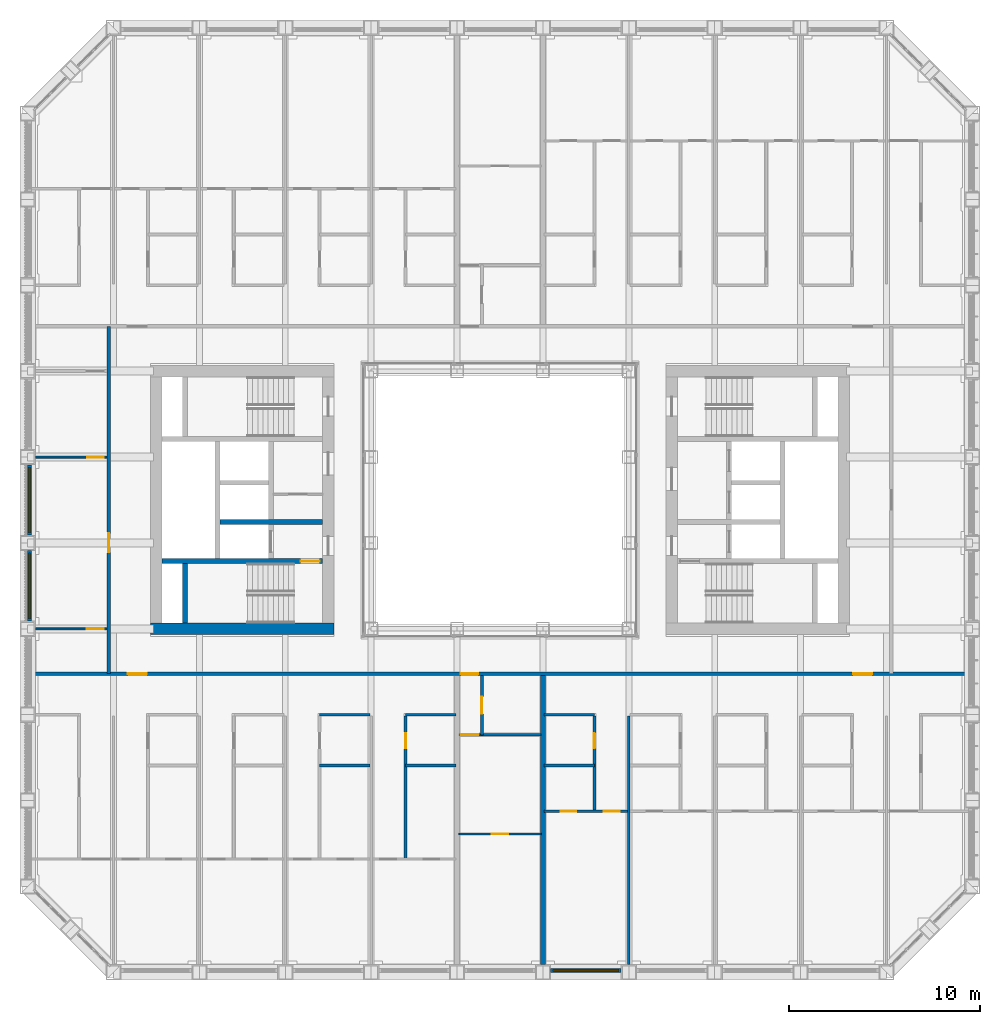
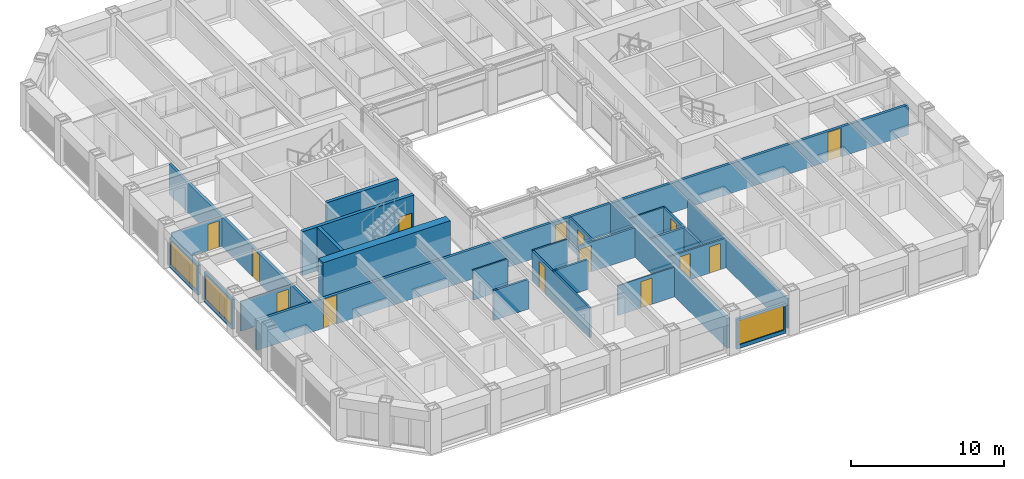
# One storey, part 10 of 21: 25 walls, 14 doors, 3 windows, 17 openings.
"""IFC4 building model written with IfcOpenShell, lengths in metres."""

import ifcopenshell
import ifcopenshell.guid

model = None  # the IFC model being written
_history = None  # IfcOwnerHistory: only IFC2X3 demands one
_inside = {}  # id of a spatial element -> (the spatial element, [elements in it])
_under = {}  # id of a project, library or spatial element -> (it, [spatial elements below it])
_declared = {}  # id of a project -> (the project, [libraries it declares])
_typed = {}  # id of a type object -> (the type object, [elements of that type])
_made_of = {}  # id of a material, layer set ... -> (it, [elements and type objects made of it])


def new_model(schema):
    """Start an empty IFC model of exactly this schema.

    Asked for "IFC4X3", IfcOpenShell would pick the latest addendum, in which some entities
    have other attributes; the version numbers below select the first issue.
    IFC2X3 requires an IfcOwnerHistory on every rooted entity: one is made here for all.
    """
    global model, _history
    if schema == "IFC4X3":
        model = ifcopenshell.file(schema_version=(4, 3, 0, 0))
    else:
        model = ifcopenshell.file(schema=schema)
    _inside.clear()
    _under.clear()
    _declared.clear()
    _typed.clear()
    _made_of.clear()
    _history = None
    if model.schema == "IFC2X3":
        org = make("IfcOrganization", Name="unknown")
        user = make(
            "IfcPersonAndOrganization",
            ThePerson=make("IfcPerson", FamilyName="unknown"),
            TheOrganization=org,
        )
        app = make(
            "IfcApplication",
            ApplicationDeveloper=org,
            Version="unknown",
            ApplicationFullName="unknown",
            ApplicationIdentifier="unknown",
        )
        _history = make(
            "IfcOwnerHistory",
            OwningUser=user,
            OwningApplication=app,
            ChangeAction="ADDED",
            CreationDate=0,
        )
    return model


def make(cls, **values):
    """One entity of the class cls with the attributes given. An attribute that is None is left unset."""
    return model.create_entity(
        cls, **{name: value for name, value in values.items() if value is not None}
    )


def rooted(cls, **values):
    """An entity with a GlobalId (a new one), such as an element, a storey or a relation."""
    return make(cls, GlobalId=ifcopenshell.guid.new(), OwnerHistory=_history, **values)


def si_unit(unit_type, name, prefix=None):
    """IfcSIUnit, for example si_unit("LENGTHUNIT", "METRE", prefix="MILLI")."""
    return make("IfcSIUnit", UnitType=unit_type, Prefix=prefix, Name=name)


def assignment(units):
    """IfcUnitAssignment: the units of a project."""
    return None if units is None else make("IfcUnitAssignment", Units=units)


def point(xyz):
    """IfcCartesianPoint."""
    return None if xyz is None else make("IfcCartesianPoint", Coordinates=xyz)


def direction(xyz):
    """IfcDirection."""
    return None if xyz is None else make("IfcDirection", DirectionRatios=xyz)


def frame(location, z_axis=None, x_axis=None):
    """IfcAxis2Placement3D, a coordinate frame: its origin and axes. An axis left out is left unset."""
    return make(
        "IfcAxis2Placement3D",
        Location=point(location),
        Axis=direction(z_axis),
        RefDirection=direction(x_axis),
    )


def frame_2d(location, x_axis=None):
    """IfcAxis2Placement2D, a coordinate frame in the plane: its origin and x axis."""
    return make(
        "IfcAxis2Placement2D", Location=point(location), RefDirection=direction(x_axis)
    )


def origin():
    """The frame at (0, 0, 0) with its axes left unset."""
    return frame((0.0, 0.0, 0.0))


def place(relative_to, where):
    """IfcLocalPlacement: puts the frame where relative to a parent placement (None: the world)."""
    return make(
        "IfcLocalPlacement", PlacementRelTo=relative_to, RelativePlacement=where
    )


def context(
    kind, dimensions, precision=None, world=None, true_north=None, identifier=None
):
    """IfcGeometricRepresentationContext, for example the 3D "Model" context."""
    return make(
        "IfcGeometricRepresentationContext",
        ContextIdentifier=identifier,
        ContextType=kind,
        CoordinateSpaceDimension=dimensions,
        Precision=precision,
        WorldCoordinateSystem=world,
        TrueNorth=true_north,
    )


def subcontext(parent, identifier, kind, view, scale=None):
    """IfcGeometricRepresentationSubContext, for example "Body" below "Model"."""
    return make(
        "IfcGeometricRepresentationSubContext",
        ContextIdentifier=identifier,
        ContextType=kind,
        ParentContext=parent,
        TargetScale=scale,
        TargetView=view,
    )


def project(units=None, contexts=None):
    """IfcProject with its units and contexts."""
    return rooted(
        "IfcProject",
        Name="project",
        RepresentationContexts=contexts,
        UnitsInContext=assignment(units),
    )


def spatial(cls, under=None, at=None, **own):
    """A site, building, storey or space (cls), placed at a placement, below another one or the project."""
    s = rooted(cls, ObjectPlacement=at, **own)
    if under is not None:
        _under.setdefault(under.id(), (under, []))[1].append(s)
    return s


def profile(cls, at=None, kind="AREA", **sizes):
    """A parametric profile (cls). Its sizes go by their IFC names, for example OverallWidth=200.0."""
    return make(cls, ProfileType=kind, Position=at, **sizes)


def rectangle(**sizes):
    """IfcRectangleProfileDef."""
    return profile("IfcRectangleProfileDef", **sizes)


def extrude(swept, where, along, depth):
    """IfcExtrudedAreaSolid: the profile swept, set in the frame where, extruded along a direction by depth."""
    return make(
        "IfcExtrudedAreaSolid",
        SweptArea=swept,
        Position=where,
        ExtrudedDirection=direction(along),
        Depth=depth,
    )


def shape(context_of_items, identifier, shape_type, items):
    """IfcShapeRepresentation: the items that make up one representation, for example the "Body"."""
    return make(
        "IfcShapeRepresentation",
        ContextOfItems=context_of_items,
        RepresentationIdentifier=identifier,
        RepresentationType=shape_type,
        Items=items,
    )


def material(Name=None, Category=None):
    """IfcMaterial."""
    return make("IfcMaterial", Name=Name, Category=Category)


def layer(
    of_material, thickness, ventilated=None, Name=None, Category=None, Priority=None
):
    """IfcMaterialLayer: one layer of a wall or slab, of a material (None: an air gap)."""
    return make(
        "IfcMaterialLayer",
        Material=of_material,
        LayerThickness=thickness,
        IsVentilated=ventilated,
        Name=Name,
        Category=Category,
        Priority=Priority,
    )


def layer_set(layers, Name=None):
    """IfcMaterialLayerSet."""
    return make("IfcMaterialLayerSet", MaterialLayers=layers, LayerSetName=Name)


def made_of(thing, what):
    """Note that an element or type object is made of a material, layer set ...; save() writes the relation."""
    if what is not None:
        _made_of.setdefault(what.id(), (what, []))[1].append(thing)
    return thing


def type_object(cls, material=None, **own):
    """A type object (cls), such as IfcWallType, which elements share."""
    return made_of(rooted(cls, **own), material)


def element(
    cls,
    number,
    at=None,
    inside=None,
    cuts=None,
    type_object=None,
    material=None,
    context=None,
    identifier="Body",
    shape_type=None,
    held_by="IfcProductDefinitionShape",
    body=None,
    shapes=None,
    **own,
):
    """One element of the class cls, such as IfcWall. Its Tag is "e" and its number.

    at: its placement. inside: the storey or other place that contains it. cuts: it is an
    opening in that element (IfcRelVoidsElement). A single representation is given by context,
    identifier, shape_type and body (its items); several are given by shapes. held_by: the class
    of the entity that holds the representations. save() writes the other relations.
    """
    e = rooted(cls, Tag="e%d" % number, ObjectPlacement=at, **own)
    if body is not None:
        shapes = [shape(context, identifier, shape_type, body)]
    if shapes is not None:
        e.Representation = make(held_by, Representations=shapes)
    if inside is not None:
        _inside.setdefault(inside.id(), (inside, []))[1].append(e)
    if cuts is not None:
        rooted(
            "IfcRelVoidsElement", RelatingBuildingElement=cuts, RelatedOpeningElement=e
        )
    if type_object is not None:
        _typed.setdefault(type_object.id(), (type_object, []))[1].append(e)
    return made_of(e, material)


def fill(opening, filler):
    """IfcRelFillsElement: the door or window that sits in an opening."""
    return rooted(
        "IfcRelFillsElement",
        RelatingOpeningElement=opening,
        RelatedBuildingElement=filler,
    )


def aggregate(whole, parts):
    """IfcRelAggregates: a whole, such as a stair, and the parts it consists of."""
    return rooted("IfcRelAggregates", RelatingObject=whole, RelatedObjects=parts)


def save(model, path):
    """Write the relations noted so far, then the file.

    IfcRelAggregates (storeys below a building ...), IfcRelContainedInSpatialStructure (elements
    in a storey), IfcRelDefinesByType, IfcRelAssociatesMaterial and IfcRelDeclares: one each for
    every whole, place, type object, material and project.
    """
    for whole, parts in _under.values():
        aggregate(whole, parts)
    for where, things in _inside.values():
        rooted(
            "IfcRelContainedInSpatialStructure",
            RelatedElements=things,
            RelatingStructure=where,
        )
    for kind, things in _typed.values():
        rooted("IfcRelDefinesByType", RelatedObjects=things, RelatingType=kind)
    for what, things in _made_of.values():
        rooted("IfcRelAssociatesMaterial", RelatedObjects=things, RelatingMaterial=what)
    for by, libraries in _declared.values():
        rooted("IfcRelDeclares", RelatingContext=by, RelatedDefinitions=libraries)
    model.write(path)


model = new_model("IFC4")

# Units and contexts
model_context = context("Model", 3, precision=1e-05, world=origin(), true_north=direction((0.0, 1.0)))
body_context = subcontext(model_context, "Body", "Model", "MODEL_VIEW")
ifc_project = project(units=[si_unit("LENGTHUNIT", "METRE"), si_unit("AREAUNIT", "SQUARE_METRE"), si_unit("VOLUMEUNIT", "CUBIC_METRE"), si_unit("PLANEANGLEUNIT", "RADIAN"), si_unit("MASSUNIT", "GRAM", prefix="KILO")], contexts=[model_context])

# Site, building, storey
site_placement = place(None, origin())
site = spatial("IfcSite", under=ifc_project, at=site_placement, CompositionType="ELEMENT")
building_placement = place(site_placement, origin())
building = spatial("IfcBuilding", under=site, at=building_placement, Name="Msasa Ring Tower", CompositionType="ELEMENT")
storey_placement = place(building_placement, frame((0.0, 0.0, 100.0)))
storey = spatial("IfcBuildingStorey", under=building, at=storey_placement, Name="L26", CompositionType="ELEMENT", Elevation=100.0)

# Wall
ifc_material_1 = material(Name="Concrete C60/75", Category="concrete")
ifc_layer_1 = layer(ifc_material_1, 0.60009765625)
ifc_layer_set_1 = layer_set([ifc_layer_1], Name="CW1 CORE WALL 600")
wall_type_1 = type_object("IfcWallType", Name="CW1 CORE WALL 600", PredefinedType="SHEAR", material=ifc_layer_set_1)
wall_1_placement = place(storey_placement, frame((-8.699951171875, -6.75, 0.0), z_axis=(0.0, 0.0, 1.0), x_axis=(-1.0, 0.0, 0.0)))
element("IfcWall", 1, at=wall_1_placement, inside=storey, type_object=wall_type_1, Name="W core wall S L26", PredefinedType="SHEAR", context=body_context, shape_type="SweptSolid", body=[
    extrude(rectangle(XDim=9.60009765625, YDim=0.60009765625, at=frame_2d((4.800048828125, 0.0))), origin(), (0.0, 0.0, 1.0), 3.5),
])

# Wall, opening, door
ifc_material_2 = material(Name="Concrete C60/75", Category="concrete")
ifc_layer_2 = layer(ifc_material_2, 0.25)
ifc_layer_set_2 = layer_set([ifc_layer_2], Name="CW4 CORE INNER WALL 250")
wall_type_2 = type_object("IfcWallType", Name="CW4 CORE INNER WALL 250", PredefinedType="SHEAR", material=ifc_layer_set_2)
wall_2_placement = place(storey_placement, frame((-9.300048828125, -3.199951171875, 0.0), z_axis=(0.0, 0.0, 1.0), x_axis=(-1.0, 0.0, 0.0)))
wall_2 = element("IfcWall", 2, at=wall_2_placement, inside=storey, type_object=wall_type_2, Name="W core wall STAIRA L26", PredefinedType="SHEAR", context=body_context, shape_type="SweptSolid", body=[
    extrude(rectangle(XDim=8.39990234375, YDim=0.25, at=frame_2d((4.199951171875, 0.0))), origin(), (0.0, 0.0, 1.0), 3.5),
])
opening_1_placement = place(wall_2_placement, frame((0.14990234375, 0.0, 0.0)))
opening_1 = element("IfcOpeningElement", 3, at=opening_1_placement, cuts=wall_2, Name="Opening RH-046", PredefinedType="OPENING", context=body_context, shape_type="SweptSolid", body=[
    extrude(rectangle(XDim=1.0, YDim=2.10009765625, at=frame_2d((0.5, 1.050048828125))), frame((0.0, 0.135009765625, 0.0), z_axis=(0.0, -1.0, 0.0), x_axis=(1.0, 0.0, 0.0)), (0.0, 0.0, 1.0), 0.27001953125),
])
ifc_material_3 = material(Name="Timber door leaf in a steel frame", Category="steel")
door_type_1 = type_object("IfcDoorType", Name="D6 STAIR DOOR 1000x2100", OperationType="SINGLE_SWING_LEFT", PredefinedType="DOOR", material=ifc_material_3)
door_1_placement = place(opening_1_placement, origin())
door_1 = element("IfcDoor", 4, at=door_1_placement, inside=storey, type_object=door_type_1, Name="Door L26-WSTA", OperationType="SINGLE_SWING_LEFT", OverallHeight=2.10009765625, OverallWidth=1.0, PredefinedType="DOOR", context=body_context, shape_type="SweptSolid", body=[
    extrude(rectangle(XDim=1.0, YDim=2.10009765625, at=frame_2d((0.5, 1.050048828125))), frame((0.0, 0.02490234375, 0.0), z_axis=(0.0, -1.0, 0.0), x_axis=(1.0, 0.0, 0.0)), (0.0, 0.0, 1.0), 0.050048828125),
])
fill(opening_1, door_1)

# Walls
wall_3_placement = place(storey_placement, frame((-16.5, -6.449951171875, 0.0), z_axis=(0.0, 0.0, 1.0), x_axis=(0.0, 1.0, 0.0)))
element("IfcWall", 5, at=wall_3_placement, inside=storey, type_object=wall_type_2, Name="W core wall RISERA L26", PredefinedType="SHEAR", context=body_context, shape_type="SweptSolid", body=[
    extrude(rectangle(XDim=3.125, YDim=0.25, at=frame_2d((1.5625, 0.0))), origin(), (0.0, 0.0, 1.0), 3.5),
])
wall_4_placement = place(storey_placement, frame((-9.300048828125, -1.14990234375, 0.0), z_axis=(0.0, 0.0, 1.0), x_axis=(-1.0, 0.0, 0.0)))
element("IfcWall", 6, at=wall_4_placement, inside=storey, type_object=wall_type_2, Name="W core wall FFL L26", PredefinedType="SHEAR", context=body_context, shape_type="SweptSolid", body=[
    extrude(rectangle(XDim=5.375, YDim=0.25, at=frame_2d((2.6875, 0.0))), origin(), (0.0, 0.0, 1.0), 3.5),
])

# Wall, opening, window
ifc_material_4 = material(Name="Terracotta rainscreen on blockwork", Category="masonry")
ifc_layer_3 = layer(ifc_material_4, 0.199951171875)
ifc_layer_set_3 = layer_set([ifc_layer_3], Name="FW1 TERRACOTTA-LINED INFILL BAY WALL 200")
wall_type_3 = type_object("IfcWallType", Name="FW1 TERRACOTTA-LINED INFILL BAY WALL 200", PredefinedType="SOLIDWALL", material=ifc_layer_set_3)
wall_5_placement = place(storey_placement, frame((2.655029296875, -24.64990234375, 0.0), z_axis=(0.0, 0.0, 1.0), x_axis=(1.0, 0.0, 0.0)))
wall_5 = element("IfcWall", 7, at=wall_5_placement, inside=storey, type_object=wall_type_3, Name="Infill bay wall S L26 05", PredefinedType="SOLIDWALL", context=body_context, shape_type="SweptSolid", body=[
    extrude(rectangle(XDim=3.68994140625, YDim=0.199951171875, at=frame_2d((1.844970703125, 0.0))), origin(), (0.0, 0.0, 1.0), 2.37890625),
])
opening_2_placement = place(wall_5_placement, frame((0.14501953125, 0.0, 0.300048828125)))
opening_2 = element("IfcOpeningElement", 8, at=opening_2_placement, cuts=wall_5, Name="Opening WN1", PredefinedType="OPENING", context=body_context, shape_type="SweptSolid", body=[
    extrude(rectangle(XDim=3.39990234375, YDim=1.928955078125, at=frame_2d((1.699951171875, 0.96435546875))), frame((0.0, 0.10986328125, 0.0), z_axis=(0.0, -1.0, 0.0), x_axis=(1.0, 0.0, 0.0)), (0.0, 0.0, 1.0), 0.219970703125),
])
ifc_material_5 = material(Name="Aluminium frame with clear glass", Category="aluminium")
window_type = type_object("IfcWindowType", Name="WN1 RESIDENCE WINDOW 3400x1929", PartitioningType="SINGLE_PANEL", PredefinedType="WINDOW", material=ifc_material_5)
window_1_placement = place(opening_2_placement, origin())
window_1 = element("IfcWindow", 9, at=window_1_placement, inside=storey, type_object=window_type, Name="Window S L26 05", OverallHeight=1.928955078125, OverallWidth=3.39990234375, PartitioningType="SINGLE_PANEL", PredefinedType="WINDOW", context=body_context, shape_type="SweptSolid", body=[
    extrude(rectangle(XDim=3.39990234375, YDim=1.928955078125, at=frame_2d((1.699951171875, 0.96435546875))), frame((0.0, 0.030029296875, 0.0), z_axis=(0.0, -1.0, 0.0), x_axis=(1.0, 0.0, 0.0)), (0.0, 0.0, 1.0), 0.06005859375),
])
fill(opening_2, window_1)

wall_6_placement = place(storey_placement, frame((-24.64990234375, -6.344970703125, 0.0), z_axis=(0.0, 0.0, 1.0), x_axis=(0.0, 1.0, 0.0)))
wall_6 = element("IfcWall", 10, at=wall_6_placement, inside=storey, type_object=wall_type_3, Name="Infill bay wall W L26 36", PredefinedType="SOLIDWALL", context=body_context, shape_type="SweptSolid", body=[
    extrude(rectangle(XDim=3.68994140625, YDim=0.199951171875, at=frame_2d((1.844970703125, 0.0))), origin(), (0.0, 0.0, 1.0), 2.37890625),
])
opening_3_placement = place(wall_6_placement, frame((0.14501953125, 0.0, 0.300048828125)))
opening_3 = element("IfcOpeningElement", 11, at=opening_3_placement, cuts=wall_6, Name="Opening WN1", PredefinedType="OPENING", context=body_context, shape_type="SweptSolid", body=[
    extrude(rectangle(XDim=3.39990234375, YDim=1.928955078125, at=frame_2d((1.699951171875, 0.96435546875))), frame((0.0, 0.10986328125, 0.0), z_axis=(0.0, -1.0, 0.0), x_axis=(1.0, 0.0, 0.0)), (0.0, 0.0, 1.0), 0.219970703125),
])
window_2_placement = place(opening_3_placement, origin())
window_2 = element("IfcWindow", 12, at=window_2_placement, inside=storey, type_object=window_type, Name="Window W L26 36", OverallHeight=1.928955078125, OverallWidth=3.39990234375, PartitioningType="SINGLE_PANEL", PredefinedType="WINDOW", context=body_context, shape_type="SweptSolid", body=[
    extrude(rectangle(XDim=3.39990234375, YDim=1.928955078125, at=frame_2d((1.699951171875, 0.96435546875))), frame((0.0, 0.030029296875, 0.0), z_axis=(0.0, -1.0, 0.0), x_axis=(1.0, 0.0, 0.0)), (0.0, 0.0, 1.0), 0.06005859375),
])
fill(opening_3, window_2)

wall_7_placement = place(storey_placement, frame((-24.64990234375, -1.844970703125, 0.0), z_axis=(0.0, 0.0, 1.0), x_axis=(0.0, 1.0, 0.0)))
wall_7 = element("IfcWall", 13, at=wall_7_placement, inside=storey, type_object=wall_type_3, Name="Infill bay wall W L26 37", PredefinedType="SOLIDWALL", context=body_context, shape_type="SweptSolid", body=[
    extrude(rectangle(XDim=3.68994140625, YDim=0.199951171875, at=frame_2d((1.844970703125, 0.0))), origin(), (0.0, 0.0, 1.0), 2.37890625),
])
opening_4_placement = place(wall_7_placement, frame((0.14501953125, 0.0, 0.300048828125)))
opening_4 = element("IfcOpeningElement", 14, at=opening_4_placement, cuts=wall_7, Name="Opening WN1", PredefinedType="OPENING", context=body_context, shape_type="SweptSolid", body=[
    extrude(rectangle(XDim=3.39990234375, YDim=1.928955078125, at=frame_2d((1.699951171875, 0.96435546875))), frame((0.0, 0.10986328125, 0.0), z_axis=(0.0, -1.0, 0.0), x_axis=(1.0, 0.0, 0.0)), (0.0, 0.0, 1.0), 0.219970703125),
])
window_3_placement = place(opening_4_placement, origin())
window_3 = element("IfcWindow", 15, at=window_3_placement, inside=storey, type_object=window_type, Name="Window W L26 37", OverallHeight=1.928955078125, OverallWidth=3.39990234375, PartitioningType="SINGLE_PANEL", PredefinedType="WINDOW", context=body_context, shape_type="SweptSolid", body=[
    extrude(rectangle(XDim=3.39990234375, YDim=1.928955078125, at=frame_2d((1.699951171875, 0.96435546875))), frame((0.0, 0.030029296875, 0.0), z_axis=(0.0, -1.0, 0.0), x_axis=(1.0, 0.0, 0.0)), (0.0, 0.0, 1.0), 0.06005859375),
])
fill(opening_4, window_3)

# Wall, openings, doors
ifc_material_6 = material(Name="Concrete blockwork", Category="masonry")
ifc_layer_4 = layer(ifc_material_6, 0.199951171875)
ifc_layer_set_4 = layer_set([ifc_layer_4], Name="PT1 CORRIDOR WALL 200")
wall_type_4 = type_object("IfcWallType", Name="PT1 CORRIDOR WALL 200", PredefinedType="PARTITIONING", material=ifc_layer_set_4)
wall_8_placement = place(storey_placement, frame((-24.550048828125, -9.10009765625, 0.0), z_axis=(0.0, 0.0, 1.0), x_axis=(1.0, 0.0, 0.0)))
wall_8 = element("IfcWall", 16, at=wall_8_placement, inside=storey, type_object=wall_type_4, Name="Corridor wall L26-CORRS0", PredefinedType="PARTITIONING", context=body_context, shape_type="SweptSolid", body=[
    extrude(rectangle(XDim=49.10009765625, YDim=0.199951171875, at=frame_2d((24.550048828125, 0.0))), origin(), (0.0, 0.0, 1.0), 2.373291015625),
])
opening_5_placement = place(wall_8_placement, frame((5.050048828125, 0.0, 0.0)))
opening_5 = element("IfcOpeningElement", 17, at=opening_5_placement, cuts=wall_8, Name="Opening RH-049", PredefinedType="OPENING", context=body_context, shape_type="SweptSolid", body=[
    extrude(rectangle(XDim=1.0, YDim=2.300048828125, at=frame_2d((0.5, 1.14990234375))), frame((0.0, 0.10986328125, 0.0), z_axis=(0.0, -1.0, 0.0), x_axis=(1.0, 0.0, 0.0)), (0.0, 0.0, 1.0), 0.219970703125),
])
opening_6_placement = place(wall_8_placement, frame((22.5, 0.0, 0.0)))
opening_6 = element("IfcOpeningElement", 18, at=opening_6_placement, cuts=wall_8, Name="Opening RH-050", PredefinedType="OPENING", context=body_context, shape_type="SweptSolid", body=[
    extrude(rectangle(XDim=0.89990234375, YDim=2.10009765625, at=frame_2d((0.449951171875, 1.050048828125))), frame((0.0, 0.10986328125, 0.0), z_axis=(0.0, -1.0, 0.0), x_axis=(1.0, 0.0, 0.0)), (0.0, 0.0, 1.0), 0.219970703125),
])
opening_7_placement = place(wall_8_placement, frame((43.050048828125, 0.0, 0.0)))
opening_7 = element("IfcOpeningElement", 19, at=opening_7_placement, cuts=wall_8, Name="Opening RH-051", PredefinedType="OPENING", context=body_context, shape_type="SweptSolid", body=[
    extrude(rectangle(XDim=1.0, YDim=2.300048828125, at=frame_2d((0.5, 1.14990234375))), frame((0.0, 0.10986328125, 0.0), z_axis=(0.0, -1.0, 0.0), x_axis=(1.0, 0.0, 0.0)), (0.0, 0.0, 1.0), 0.219970703125),
])
ifc_material_7 = material(Name="Timber door leaf in a steel frame", Category="steel")
door_type_2 = type_object("IfcDoorType", Name="D16 UPPER RESIDENCE ENTRANCE DOOR 1000x2300", OperationType="SINGLE_SWING_LEFT", PredefinedType="DOOR", material=ifc_material_7)
door_2_placement = place(opening_5_placement, origin())
door_2 = element("IfcDoor", 20, at=door_2_placement, inside=storey, type_object=door_type_2, Name="Door L26-US00", OperationType="SINGLE_SWING_LEFT", OverallHeight=2.300048828125, OverallWidth=1.0, PredefinedType="DOOR", context=body_context, shape_type="SweptSolid", body=[
    extrude(rectangle(XDim=1.0, YDim=2.300048828125, at=frame_2d((0.5, 1.14990234375))), frame((0.0, 0.02490234375, 0.0), z_axis=(0.0, -1.0, 0.0), x_axis=(1.0, 0.0, 0.0)), (0.0, 0.0, 1.0), 0.050048828125),
])
fill(opening_5, door_2)
door_3_placement = place(opening_7_placement, origin())
door_3 = element("IfcDoor", 21, at=door_3_placement, inside=storey, type_object=door_type_2, Name="Door L26-US02", OperationType="SINGLE_SWING_RIGHT", OverallHeight=2.300048828125, OverallWidth=1.0, PredefinedType="DOOR", context=body_context, shape_type="SweptSolid", body=[
    extrude(rectangle(XDim=1.0, YDim=2.300048828125, at=frame_2d((0.5, 1.14990234375))), frame((0.0, 0.02490234375, 0.0), z_axis=(0.0, -1.0, 0.0), x_axis=(1.0, 0.0, 0.0)), (0.0, 0.0, 1.0), 0.050048828125),
])
fill(opening_7, door_3)
ifc_material_8 = material(Name="Timber door leaf in a steel frame", Category="steel")
door_type_3 = type_object("IfcDoorType", Name="D2 ENTRANCE DOOR 900x2100", OperationType="SINGLE_SWING_LEFT", PredefinedType="DOOR", material=ifc_material_8)
door_4_placement = place(opening_6_placement, origin())
door_4 = element("IfcDoor", 22, at=door_4_placement, inside=storey, type_object=door_type_3, Name="Door L26-US01", OperationType="SINGLE_SWING_LEFT", OverallHeight=2.10009765625, OverallWidth=0.89990234375, PredefinedType="DOOR", context=body_context, shape_type="SweptSolid", body=[
    extrude(rectangle(XDim=0.89990234375, YDim=2.10009765625, at=frame_2d((0.449951171875, 1.050048828125))), frame((0.0, 0.02490234375, 0.0), z_axis=(0.0, -1.0, 0.0), x_axis=(1.0, 0.0, 0.0)), (0.0, 0.0, 1.0), 0.050048828125),
])
fill(opening_6, door_4)

# Wall, opening, door
wall_9_placement = place(storey_placement, frame((-20.5, -9.10009765625, 0.0), z_axis=(0.0, 0.0, 1.0), x_axis=(0.0, 1.0, 0.0)))
wall_9 = element("IfcWall", 23, at=wall_9_placement, inside=storey, type_object=wall_type_4, Name="Corridor wall L26-STRW", PredefinedType="PARTITIONING", context=body_context, shape_type="SweptSolid", body=[
    extrude(rectangle(XDim=18.2001953125, YDim=0.199951171875, at=frame_2d((9.10009765625, 0.0))), origin(), (0.0, 0.0, 1.0), 2.373291015625),
])
opening_8_placement = place(wall_9_placement, frame((6.35009765625, 0.0, 0.0)))
opening_8 = element("IfcOpeningElement", 24, at=opening_8_placement, cuts=wall_9, Name="Opening RH-043", PredefinedType="OPENING", context=body_context, shape_type="SweptSolid", body=[
    extrude(rectangle(XDim=1.0, YDim=2.300048828125, at=frame_2d((0.5, 1.14990234375))), frame((0.0, 0.10986328125, 0.0), z_axis=(0.0, -1.0, 0.0), x_axis=(1.0, 0.0, 0.0)), (0.0, 0.0, 1.0), 0.219970703125),
])
door_5_placement = place(opening_8_placement, origin())
door_5 = element("IfcDoor", 25, at=door_5_placement, inside=storey, type_object=door_type_2, Name="Door L26-STW", OperationType="SINGLE_SWING_LEFT", OverallHeight=2.300048828125, OverallWidth=1.0, PredefinedType="DOOR", context=body_context, shape_type="SweptSolid", body=[
    extrude(rectangle(XDim=1.0, YDim=2.300048828125, at=frame_2d((0.5, 1.14990234375))), frame((0.0, 0.02490234375, 0.0), z_axis=(0.0, -1.0, 0.0), x_axis=(1.0, 0.0, 0.0)), (0.0, 0.0, 1.0), 0.050048828125),
])
fill(opening_8, door_5)

ifc_material_9 = material(Name="Gypsum board on steel studs", Category="steel")
ifc_layer_5 = layer(ifc_material_9, 0.10009765625)
ifc_layer_set_5 = layer_set([ifc_layer_5], Name="PT2 STUD PARTITION 100")
wall_type_5 = type_object("IfcWallType", Name="PT2 STUD PARTITION 100", PredefinedType="PARTITIONING", material=ifc_layer_set_5)
wall_10_placement = place(storey_placement, frame((-2.14990234375, -17.5, 0.0), z_axis=(0.0, 0.0, 1.0), x_axis=(1.0, 0.0, 0.0)))
wall_10 = element("IfcWall", 26, at=wall_10_placement, inside=storey, type_object=wall_type_5, Name="Partition L26-US01SY", PredefinedType="PARTITIONING", context=body_context, shape_type="SweptSolid", body=[
    extrude(rectangle(XDim=4.2998046875, YDim=0.10009765625, at=frame_2d((2.14990234375, 0.0))), origin(), (0.0, 0.0, 1.0), 2.373291015625),
])
opening_9_placement = place(wall_10_placement, frame((1.72509765625, 0.0, 0.0)))
opening_9 = element("IfcOpeningElement", 27, at=opening_9_placement, cuts=wall_10, Name="Opening RH-073", PredefinedType="OPENING", context=body_context, shape_type="SweptSolid", body=[
    extrude(rectangle(XDim=0.85009765625, YDim=2.10009765625, at=frame_2d((0.425048828125, 1.050048828125))), frame((0.0, 0.06005859375, 0.0), z_axis=(0.0, -1.0, 0.0), x_axis=(1.0, 0.0, 0.0)), (0.0, 0.0, 1.0), 0.1201171875),
])
ifc_material_10 = material(Name="Timber door leaf in a steel frame", Category="steel")
door_type_4 = type_object("IfcDoorType", Name="D14 BEDROOM DOOR 850x2100", OperationType="SINGLE_SWING_LEFT", PredefinedType="DOOR", material=ifc_material_10)
door_6_placement = place(opening_9_placement, origin())
door_6 = element("IfcDoor", 28, at=door_6_placement, inside=storey, type_object=door_type_4, Name="Door L26-US01R", OperationType="SINGLE_SWING_LEFT", OverallHeight=2.10009765625, OverallWidth=0.85009765625, PredefinedType="DOOR", context=body_context, shape_type="SweptSolid", body=[
    extrude(rectangle(XDim=0.85009765625, YDim=2.10009765625, at=frame_2d((0.425048828125, 1.050048828125))), frame((0.0, 0.02490234375, 0.0), z_axis=(0.0, -1.0, 0.0), x_axis=(1.0, 0.0, 0.0)), (0.0, 0.0, 1.0), 0.050048828125),
])
fill(opening_9, door_6)

wall_11_placement = place(storey_placement, frame((-24.35009765625, -6.75, 0.0), z_axis=(0.0, 0.0, 1.0), x_axis=(1.0, 0.0, 0.0)))
wall_11 = element("IfcWall", 29, at=wall_11_placement, inside=storey, type_object=wall_type_5, Name="Partition L26-STWKY", PredefinedType="PARTITIONING", context=body_context, shape_type="SweptSolid", body=[
    extrude(rectangle(XDim=3.75, YDim=0.10009765625, at=frame_2d((1.875, 0.0))), origin(), (0.0, 0.0, 1.0), 2.373291015625),
])
opening_10_placement = place(wall_11_placement, frame((2.699951171875, 0.0, 0.0)))
opening_10 = element("IfcOpeningElement", 30, at=opening_10_placement, cuts=wall_11, Name="Opening RH-048", PredefinedType="OPENING", context=body_context, shape_type="SweptSolid", body=[
    extrude(rectangle(XDim=0.89990234375, YDim=2.10009765625, at=frame_2d((0.449951171875, 1.050048828125))), frame((0.0, 0.06005859375, 0.0), z_axis=(0.0, -1.0, 0.0), x_axis=(1.0, 0.0, 0.0)), (0.0, 0.0, 1.0), 0.1201171875),
])
ifc_material_11 = material(Name="Timber door leaf in a steel frame", Category="steel")
door_type_5 = type_object("IfcDoorType", Name="D22 INTERNAL HALL DOOR 900x2100", OperationType="SINGLE_SWING_LEFT", PredefinedType="DOOR", material=ifc_material_11)
door_7_placement = place(opening_10_placement, origin())
door_7 = element("IfcDoor", 31, at=door_7_placement, inside=storey, type_object=door_type_5, Name="Door L26-STWK", OperationType="SINGLE_SWING_RIGHT", OverallHeight=2.10009765625, OverallWidth=0.89990234375, PredefinedType="DOOR", context=body_context, shape_type="SweptSolid", body=[
    extrude(rectangle(XDim=0.89990234375, YDim=2.10009765625, at=frame_2d((0.449951171875, 1.050048828125))), frame((0.0, 0.02490234375, 0.0), z_axis=(0.0, -1.0, 0.0), x_axis=(1.0, 0.0, 0.0)), (0.0, 0.0, 1.0), 0.050048828125),
])
fill(opening_10, door_7)

wall_12_placement = place(storey_placement, frame((-24.35009765625, 2.25, 0.0), z_axis=(0.0, 0.0, 1.0), x_axis=(1.0, 0.0, 0.0)))
wall_12 = element("IfcWall", 32, at=wall_12_placement, inside=storey, type_object=wall_type_5, Name="Partition L26-STWRY", PredefinedType="PARTITIONING", context=body_context, shape_type="SweptSolid", body=[
    extrude(rectangle(XDim=3.75, YDim=0.10009765625, at=frame_2d((1.875, 0.0))), origin(), (0.0, 0.0, 1.0), 2.373291015625),
])
opening_11_placement = place(wall_12_placement, frame((2.72509765625, 0.0, 0.0)))
opening_11 = element("IfcOpeningElement", 33, at=opening_11_placement, cuts=wall_12, Name="Opening RH-038", PredefinedType="OPENING", context=body_context, shape_type="SweptSolid", body=[
    extrude(rectangle(XDim=0.85009765625, YDim=2.10009765625, at=frame_2d((0.425048828125, 1.050048828125))), frame((0.0, 0.06005859375, 0.0), z_axis=(0.0, -1.0, 0.0), x_axis=(1.0, 0.0, 0.0)), (0.0, 0.0, 1.0), 0.1201171875),
])
door_8_placement = place(opening_11_placement, origin())
door_8 = element("IfcDoor", 34, at=door_8_placement, inside=storey, type_object=door_type_4, Name="Door L26-STWR", OperationType="SINGLE_SWING_RIGHT", OverallHeight=2.10009765625, OverallWidth=0.85009765625, PredefinedType="DOOR", context=body_context, shape_type="SweptSolid", body=[
    extrude(rectangle(XDim=0.85009765625, YDim=2.10009765625, at=frame_2d((0.425048828125, 1.050048828125))), frame((0.0, 0.02490234375, 0.0), z_axis=(0.0, -1.0, 0.0), x_axis=(1.0, 0.0, 0.0)), (0.0, 0.0, 1.0), 0.050048828125),
])
fill(opening_11, door_8)

# Walls
ifc_material_12 = material(Name="Dense concrete blockwork, plastered both faces", Category="masonry")
ifc_layer_6 = layer(ifc_material_12, 0.25)
ifc_layer_set_6 = layer_set([ifc_layer_6], Name="PT3 APARTMENT SEPARATING WALL 250")
wall_type_6 = type_object("IfcWallType", Name="PT3 APARTMENT SEPARATING WALL 250", PredefinedType="PARTITIONING", material=ifc_layer_set_6)
wall_13_placement = place(storey_placement, frame((2.25, -24.35009765625, 0.0), z_axis=(0.0, 0.0, 1.0), x_axis=(0.0, 1.0, 0.0)))
element("IfcWall", 35, at=wall_13_placement, inside=storey, type_object=wall_type_6, Name="Party wall L26-PWS+2.25", PredefinedType="PARTITIONING", context=body_context, shape_type="SweptSolid", body=[
    extrude(rectangle(XDim=15.150146484375, YDim=0.25, at=frame_2d((7.5751953125, 0.0))), origin(), (0.0, 0.0, 1.0), 2.373291015625),
])
ifc_material_13 = material(Name="Moisture-resistant board on steel studs with a concealed cistern and pipe void, tiled", Category="steel")
ifc_layer_7 = layer(ifc_material_13, 0.14990234375)
ifc_layer_set_7 = layer_set([ifc_layer_7], Name="PT4 BATHROOM WET WALL 150")
wall_type_7 = type_object("IfcWallType", Name="PT4 BATHROOM WET WALL 150", PredefinedType="PARTITIONING", material=ifc_layer_set_7)
wall_14_placement = place(storey_placement, frame((-9.449951171875, -13.91259765625, 0.0), z_axis=(0.0, 0.0, 1.0), x_axis=(1.0, 0.0, 0.0)))
element("IfcWall", 36, at=wall_14_placement, inside=storey, type_object=wall_type_7, Name="Partition L26-US00SB3", PredefinedType="PARTITIONING", context=body_context, shape_type="SweptSolid", body=[
    extrude(rectangle(XDim=2.637451171875, YDim=0.14990234375, at=frame_2d((1.31884765625, 0.0))), origin(), (0.0, 0.0, 1.0), 2.373291015625),
])

# Wall, opening, door
wall_15_placement = place(storey_placement, frame((-4.949951171875, -18.8125, 0.0), z_axis=(0.0, 0.0, 1.0), x_axis=(0.0, 1.0, 0.0)))
wall_15 = element("IfcWall", 37, at=wall_15_placement, inside=storey, type_object=wall_type_7, Name="Partition L26-US00SX4", PredefinedType="PARTITIONING", context=body_context, shape_type="SweptSolid", body=[
    extrude(rectangle(XDim=7.5, YDim=0.14990234375, at=frame_2d((3.75, 0.0))), origin(), (0.0, 0.0, 1.0), 2.373291015625),
])
opening_12_placement = place(wall_15_placement, frame((5.800048828125, 0.0, 0.0)))
opening_12 = element("IfcOpeningElement", 38, at=opening_12_placement, cuts=wall_15, Name="Opening RH-057", PredefinedType="OPENING", context=body_context, shape_type="SweptSolid", body=[
    extrude(rectangle(XDim=0.800048828125, YDim=2.10009765625, at=frame_2d((0.39990234375, 1.050048828125))), frame((0.0, 0.0849609375, 0.0), z_axis=(0.0, -1.0, 0.0), x_axis=(1.0, 0.0, 0.0)), (0.0, 0.0, 1.0), 0.169921875),
])
ifc_material_14 = material(Name="Timber door leaf in a steel frame", Category="steel")
door_type_6 = type_object("IfcDoorType", Name="D21 POCKET SLIDING BATHROOM DOOR 800x2100", OperationType="SINGLE_SWING_LEFT", PredefinedType="DOOR", material=ifc_material_14)
door_9_placement = place(opening_12_placement, origin())
door_9 = element("IfcDoor", 39, at=door_9_placement, inside=storey, type_object=door_type_6, Name="Door L26-US00B4", OperationType="SINGLE_SWING_RIGHT", OverallHeight=2.10009765625, OverallWidth=0.800048828125, PredefinedType="DOOR", context=body_context, shape_type="SweptSolid", body=[
    extrude(rectangle(XDim=0.800048828125, YDim=2.10009765625, at=frame_2d((0.39990234375, 1.050048828125))), frame((0.0, 0.02490234375, 0.0), z_axis=(0.0, -1.0, 0.0), x_axis=(1.0, 0.0, 0.0)), (0.0, 0.0, 1.0), 0.050048828125),
])
fill(opening_12, door_9)

# Wall
wall_16_placement = place(storey_placement, frame((-4.949951171875, -13.91259765625, 0.0), z_axis=(0.0, 0.0, 1.0), x_axis=(1.0, 0.0, 0.0)))
element("IfcWall", 40, at=wall_16_placement, inside=storey, type_object=wall_type_7, Name="Partition L26-US00SB4", PredefinedType="PARTITIONING", context=body_context, shape_type="SweptSolid", body=[
    extrude(rectangle(XDim=2.632568359375, YDim=0.14990234375, at=frame_2d((1.31640625, 0.0))), origin(), (0.0, 0.0, 1.0), 2.373291015625),
])

# Wall, opening, door
wall_17_placement = place(storey_placement, frame((-0.949951171875, -12.300048828125, 0.0), z_axis=(0.0, 0.0, 1.0), x_axis=(0.0, 1.0, 0.0)))
wall_17 = element("IfcWall", 41, at=wall_17_placement, inside=storey, type_object=wall_type_7, Name="Partition L26-US01BX", PredefinedType="PARTITIONING", context=body_context, shape_type="SweptSolid", body=[
    extrude(rectangle(XDim=3.10009765625, YDim=0.14990234375, at=frame_2d((1.550048828125, 0.0))), origin(), (0.0, 0.0, 1.0), 2.373291015625),
])
opening_13_placement = place(wall_17_placement, frame((1.10009765625, 0.0, 0.0)))
opening_13 = element("IfcOpeningElement", 42, at=opening_13_placement, cuts=wall_17, Name="Opening RH-052", PredefinedType="OPENING", context=body_context, shape_type="SweptSolid", body=[
    extrude(rectangle(XDim=0.89990234375, YDim=2.10009765625, at=frame_2d((0.449951171875, 1.050048828125))), frame((0.0, 0.0849609375, 0.0), z_axis=(0.0, -1.0, 0.0), x_axis=(1.0, 0.0, 0.0)), (0.0, 0.0, 1.0), 0.169921875),
])
ifc_material_15 = material(Name="Timber door leaf in a steel frame", Category="steel")
door_type_7 = type_object("IfcDoorType", Name="D3 BATHROOM DOOR 900x2100", OperationType="SINGLE_SWING_LEFT", PredefinedType="DOOR", material=ifc_material_15)
door_10_placement = place(opening_13_placement, origin())
door_10 = element("IfcDoor", 43, at=door_10_placement, inside=storey, type_object=door_type_7, Name="Door L26-US01B", OperationType="SINGLE_SWING_LEFT", OverallHeight=2.10009765625, OverallWidth=0.89990234375, PredefinedType="DOOR", context=body_context, shape_type="SweptSolid", body=[
    extrude(rectangle(XDim=0.89990234375, YDim=2.10009765625, at=frame_2d((0.449951171875, 1.050048828125))), frame((0.0, 0.02490234375, 0.0), z_axis=(0.0, -1.0, 0.0), x_axis=(1.0, 0.0, 0.0)), (0.0, 0.0, 1.0), 0.050048828125),
])
fill(opening_13, door_10)

wall_18_placement = place(storey_placement, frame((-2.14990234375, -12.300048828125, 0.0), z_axis=(0.0, 0.0, 1.0), x_axis=(1.0, 0.0, 0.0)))
wall_18 = element("IfcWall", 44, at=wall_18_placement, inside=storey, type_object=wall_type_7, Name="Partition L26-US01BY", PredefinedType="PARTITIONING", context=body_context, shape_type="SweptSolid", body=[
    extrude(rectangle(XDim=4.2998046875, YDim=0.14990234375, at=frame_2d((2.14990234375, 0.0))), origin(), (0.0, 0.0, 1.0), 2.373291015625),
])
opening_14_placement = place(wall_18_placement, frame((0.10009765625, 0.0, 0.0)))
opening_14 = element("IfcOpeningElement", 45, at=opening_14_placement, cuts=wall_18, Name="Opening RH-053", PredefinedType="OPENING", context=body_context, shape_type="SweptSolid", body=[
    extrude(rectangle(XDim=0.89990234375, YDim=2.10009765625, at=frame_2d((0.449951171875, 1.050048828125))), frame((0.0, 0.0849609375, 0.0), z_axis=(0.0, -1.0, 0.0), x_axis=(1.0, 0.0, 0.0)), (0.0, 0.0, 1.0), 0.169921875),
])
door_11_placement = place(opening_14_placement, origin())
door_11 = element("IfcDoor", 46, at=door_11_placement, inside=storey, type_object=door_type_5, Name="Door L26-US01S", OperationType="SINGLE_SWING_LEFT", OverallHeight=2.10009765625, OverallWidth=0.89990234375, PredefinedType="DOOR", context=body_context, shape_type="SweptSolid", body=[
    extrude(rectangle(XDim=0.89990234375, YDim=2.10009765625, at=frame_2d((0.449951171875, 1.050048828125))), frame((0.0, 0.02490234375, 0.0), z_axis=(0.0, -1.0, 0.0), x_axis=(1.0, 0.0, 0.0)), (0.0, 0.0, 1.0), 0.050048828125),
])
fill(opening_14, door_11)

wall_19_placement = place(storey_placement, frame((4.949951171875, -16.3125, 0.0), z_axis=(0.0, 0.0, 1.0), x_axis=(0.0, 1.0, 0.0)))
wall_19 = element("IfcWall", 47, at=wall_19_placement, inside=storey, type_object=wall_type_7, Name="Partition L26-US02SX4", PredefinedType="PARTITIONING", context=body_context, shape_type="SweptSolid", body=[
    extrude(rectangle(XDim=5.0, YDim=0.14990234375, at=frame_2d((2.5, 0.0))), origin(), (0.0, 0.0, 1.0), 2.373291015625),
])
opening_15_placement = place(wall_19_placement, frame((3.300048828125, 0.0, 0.0)))
opening_15 = element("IfcOpeningElement", 48, at=opening_15_placement, cuts=wall_19, Name="Opening RH-058", PredefinedType="OPENING", context=body_context, shape_type="SweptSolid", body=[
    extrude(rectangle(XDim=0.800048828125, YDim=2.10009765625, at=frame_2d((0.39990234375, 1.050048828125))), frame((0.0, 0.0849609375, 0.0), z_axis=(0.0, -1.0, 0.0), x_axis=(1.0, 0.0, 0.0)), (0.0, 0.0, 1.0), 0.169921875),
])
door_12_placement = place(opening_15_placement, origin())
door_12 = element("IfcDoor", 49, at=door_12_placement, inside=storey, type_object=door_type_6, Name="Door L26-US02B4", OperationType="SINGLE_SWING_RIGHT", OverallHeight=2.10009765625, OverallWidth=0.800048828125, PredefinedType="DOOR", context=body_context, shape_type="SweptSolid", body=[
    extrude(rectangle(XDim=0.800048828125, YDim=2.10009765625, at=frame_2d((0.39990234375, 1.050048828125))), frame((0.0, 0.02490234375, 0.0), z_axis=(0.0, -1.0, 0.0), x_axis=(1.0, 0.0, 0.0)), (0.0, 0.0, 1.0), 0.050048828125),
])
fill(opening_15, door_12)

# Walls
wall_20_placement = place(storey_placement, frame((2.3173828125, -13.91259765625, 0.0), z_axis=(0.0, 0.0, 1.0), x_axis=(1.0, 0.0, 0.0)))
element("IfcWall", 50, at=wall_20_placement, inside=storey, type_object=wall_type_7, Name="Partition L26-US02SB4", PredefinedType="PARTITIONING", context=body_context, shape_type="SweptSolid", body=[
    extrude(rectangle(XDim=2.632568359375, YDim=0.14990234375, at=frame_2d((1.31640625, 0.0))), origin(), (0.0, 0.0, 1.0), 2.373291015625),
])
ifc_material_16 = material(Name="Two layers of acoustic board each face on steel studs, mineral wool", Category="steel")
ifc_layer_8 = layer(ifc_material_16, 0.125)
ifc_layer_set_8 = layer_set([ifc_layer_8], Name="PT6 ACOUSTIC DOUBLE-BOARD PARTITION 125")
wall_type_8 = type_object("IfcWallType", Name="PT6 ACOUSTIC DOUBLE-BOARD PARTITION 125", PredefinedType="PARTITIONING", material=ifc_layer_set_8)
for number, where, z_axis, x_axis, name in (
    (51, (-9.449951171875, -11.25, 0.0), (0.0, 0.0, 1.0), (1.0, 0.0, 0.0), "Partition L26-US00HY3"),
    (52, (-4.949951171875, -11.25, 0.0), (0.0, 0.0, 1.0), (1.0, 0.0, 0.0), "Partition L26-US00HY4"),
):
    element("IfcWall", number, at=place(storey_placement, frame(where, z_axis=z_axis, x_axis=x_axis)), inside=storey, type_object=wall_type_8, Name=name, PredefinedType="PARTITIONING", context=body_context, shape_type="SweptSolid", body=[
        extrude(rectangle(XDim=2.632568359375, YDim=0.125, at=frame_2d((1.31640625, 0.0))), origin(), (0.0, 0.0, 1.0), 2.373291015625),
    ])
wall_21_placement = place(storey_placement, frame((6.75, -24.35009765625, 0.0), z_axis=(0.0, 0.0, 1.0), x_axis=(0.0, 1.0, 0.0)))
element("IfcWall", 53, at=wall_21_placement, inside=storey, type_object=wall_type_8, Name="Partition L26-US02P4", PredefinedType="PARTITIONING", context=body_context, shape_type="SweptSolid", body=[
    extrude(rectangle(XDim=13.03759765625, YDim=0.125, at=frame_2d((6.518798828125, 0.0))), origin(), (0.0, 0.0, 1.0), 2.373291015625),
])
wall_22_placement = place(storey_placement, frame((2.3173828125, -11.25, 0.0), z_axis=(0.0, 0.0, 1.0), x_axis=(1.0, 0.0, 0.0)))
element("IfcWall", 54, at=wall_22_placement, inside=storey, type_object=wall_type_8, Name="Partition L26-US02HY4", PredefinedType="PARTITIONING", context=body_context, shape_type="SweptSolid", body=[
    extrude(rectangle(XDim=2.632568359375, YDim=0.125, at=frame_2d((1.31640625, 0.0))), origin(), (0.0, 0.0, 1.0), 2.373291015625),
])

# Wall, openings, doors
wall_23_placement = place(storey_placement, frame((2.3173828125, -16.3125, 0.0), z_axis=(0.0, 0.0, 1.0), x_axis=(1.0, 0.0, 0.0)))
wall_23 = element("IfcWall", 55, at=wall_23_placement, inside=storey, type_object=wall_type_8, Name="Partition L26-US02SY4", PredefinedType="PARTITIONING", context=body_context, shape_type="SweptSolid", body=[
    extrude(rectangle(XDim=4.3701171875, YDim=0.125, at=frame_2d((2.18505859375, 0.0))), origin(), (0.0, 0.0, 1.0), 2.373291015625),
])
opening_16_placement = place(wall_23_placement, frame((3.107421875, 0.0, 0.0)))
opening_16 = element("IfcOpeningElement", 56, at=opening_16_placement, cuts=wall_23, Name="Opening RH-065", PredefinedType="OPENING", context=body_context, shape_type="SweptSolid", body=[
    extrude(rectangle(XDim=0.85009765625, YDim=2.10009765625, at=frame_2d((0.425048828125, 1.050048828125))), frame((0.0, 0.072509765625, 0.0), z_axis=(0.0, -1.0, 0.0), x_axis=(1.0, 0.0, 0.0)), (0.0, 0.0, 1.0), 0.14501953125),
])
opening_17_placement = place(wall_23_placement, frame((0.876220703125, 0.0, 0.0)))
opening_17 = element("IfcOpeningElement", 57, at=opening_17_placement, cuts=wall_23, Name="Opening RH-064", PredefinedType="OPENING", context=body_context, shape_type="SweptSolid", body=[
    extrude(rectangle(XDim=0.800048828125, YDim=2.10009765625, at=frame_2d((0.39990234375, 1.050048828125))), frame((0.0, 0.072509765625, 0.0), z_axis=(0.0, -1.0, 0.0), x_axis=(1.0, 0.0, 0.0)), (0.0, 0.0, 1.0), 0.14501953125),
])
door_13_placement = place(opening_16_placement, origin())
door_13 = element("IfcDoor", 58, at=door_13_placement, inside=storey, type_object=door_type_4, Name="Door L26-US02R4", OperationType="SINGLE_SWING_RIGHT", OverallHeight=2.10009765625, OverallWidth=0.85009765625, PredefinedType="DOOR", context=body_context, shape_type="SweptSolid", body=[
    extrude(rectangle(XDim=0.85009765625, YDim=2.10009765625, at=frame_2d((0.425048828125, 1.050048828125))), frame((0.0, 0.02490234375, 0.0), z_axis=(0.0, -1.0, 0.0), x_axis=(1.0, 0.0, 0.0)), (0.0, 0.0, 1.0), 0.050048828125),
])
fill(opening_16, door_13)
ifc_material_17 = material(Name="Timber door leaf in a steel frame", Category="steel")
door_type_8 = type_object("IfcDoorType", Name="D60 DRESSING ROOM DOOR 800x2100", OperationType="SINGLE_SWING_LEFT", PredefinedType="DOOR", material=ifc_material_17)
door_14_placement = place(opening_17_placement, origin())
door_14 = element("IfcDoor", 59, at=door_14_placement, inside=storey, type_object=door_type_8, Name="Door L26-US02W4", OperationType="SINGLE_SWING_LEFT", OverallHeight=2.10009765625, OverallWidth=0.800048828125, PredefinedType="DOOR", context=body_context, shape_type="SweptSolid", body=[
    extrude(rectangle(XDim=0.800048828125, YDim=2.10009765625, at=frame_2d((0.39990234375, 1.050048828125))), frame((0.0, 0.02490234375, 0.0), z_axis=(0.0, -1.0, 0.0), x_axis=(1.0, 0.0, 0.0)), (0.0, 0.0, 1.0), 0.050048828125),
])
fill(opening_17, door_14)

save(model, "model.ifc")
